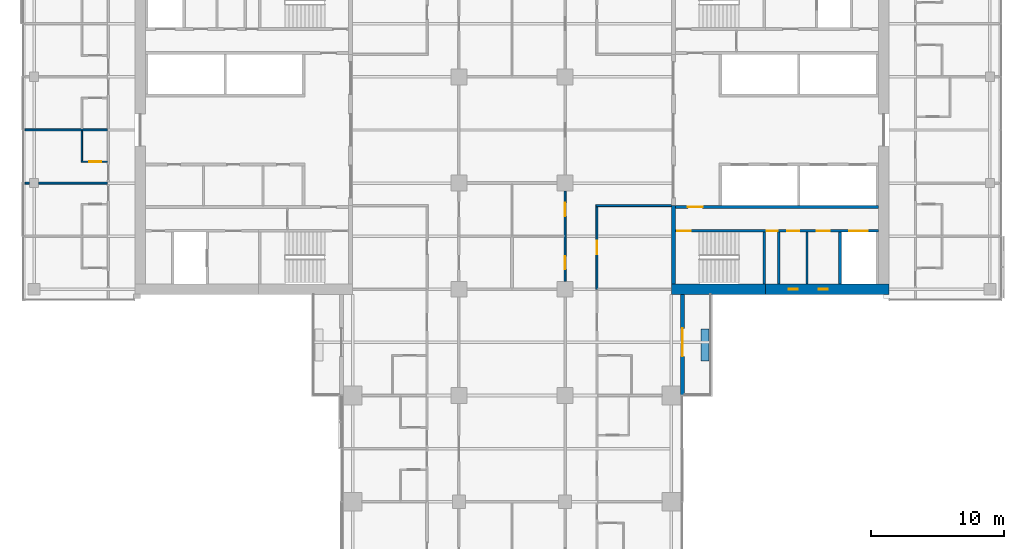
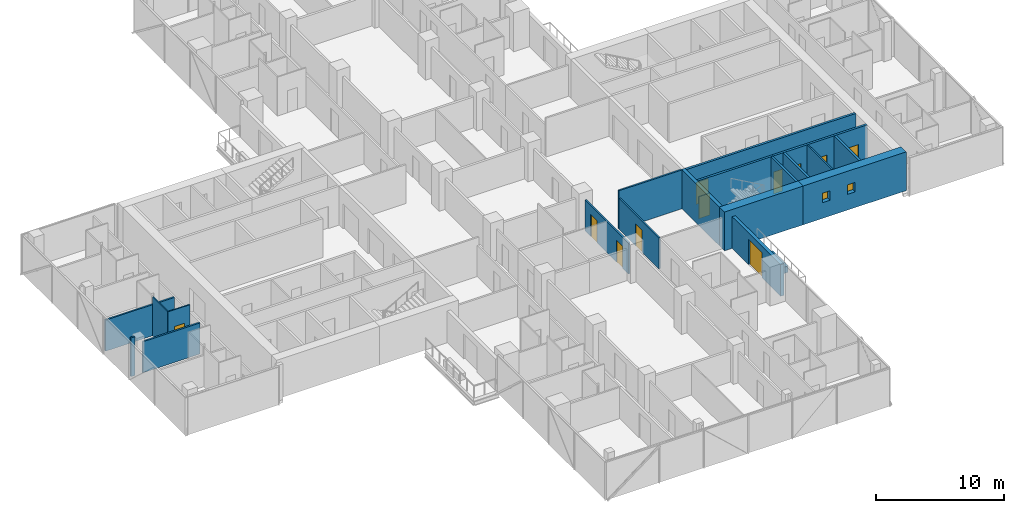
# One storey, part 17 of 27: 20 walls, 11 doors, 2 windows, 13 openings.
"""IFC4 building model written with IfcOpenShell, lengths in metres."""

from ifc_helpers import new_model, si_unit, direction, frame, frame_2d, origin, place, context, subcontext, project, spatial, rectangle, extrude, material, layer, layer_set, constituent, constituent_set, type_object, element, fill, save


model = new_model("IFC4")

# Units and contexts
model_context = context("Model", 3, precision=1e-05, world=origin(), true_north=direction((0.0, 1.0)))
body_context = subcontext(model_context, "Body", "Model", "MODEL_VIEW")
ifc_project = project(units=[si_unit("LENGTHUNIT", "METRE"), si_unit("AREAUNIT", "SQUARE_METRE"), si_unit("VOLUMEUNIT", "CUBIC_METRE"), si_unit("PLANEANGLEUNIT", "RADIAN"), si_unit("MASSUNIT", "GRAM", prefix="KILO")], contexts=[model_context])

# Site, building, storey
site_placement = place(None, origin())
site = spatial("IfcSite", under=ifc_project, at=site_placement, CompositionType="ELEMENT")
building_placement = place(site_placement, origin())
building = spatial("IfcBuilding", under=site, at=building_placement, Name="Crosswind Convention Tower", CompositionType="ELEMENT")
storey_placement = place(building_placement, frame((0.0, 0.0, 64.60009765625)))
storey = spatial("IfcBuildingStorey", under=building, at=storey_placement, Name="L10", CompositionType="ELEMENT", Elevation=64.60009765625)

# Walls
ifc_material_1 = material(Name="Concrete blockwork", Category="masonry")
ifc_layer_1 = layer(ifc_material_1, 0.199951171875)
ifc_layer_set_1 = layer_set([ifc_layer_1], Name="Blockwork partition wall 200")
wall_type_1 = type_object("IfcWallType", Name="Blockwork partition wall 200", PredefinedType="PARTITIONING", material=ifc_layer_set_1)
wall_1_placement = place(storey_placement, frame((145.10009765625, 88.39990234375, 0.0), z_axis=(0.0, 0.0, 1.0), x_axis=(0.0, 1.0, 0.0)))
element("IfcWall", 1, at=wall_1_placement, inside=storey, type_object=wall_type_1, Name="Wall MRSE E L10", PredefinedType="PARTITIONING", context=body_context, shape_type="SweptSolid", body=[
    extrude(rectangle(XDim=3.900146484375, YDim=0.199951171875, at=frame_2d((1.9501953125, 0.0))), origin(), (0.0, 0.0, 1.0), 3.699951171875),
])
ifc_material_2 = material(Name="Plasterboard partition", Category="gypsum")
ifc_layer_2 = layer(ifc_material_2, 0.14990234375)
ifc_layer_set_2 = layer_set([ifc_layer_2], Name="CORRIDOR WALL 150")
wall_type_2 = type_object("IfcWallType", Name="CORRIDOR WALL 150", PredefinedType="PARTITIONING", material=ifc_layer_set_2)
wall_2_placement = place(storey_placement, frame((131.324951171875, 94.300048828125, 0.0), z_axis=(0.0, 0.0, 1.0), x_axis=(1.0, 0.0, 0.0)))
element("IfcWall", 2, at=wall_2_placement, inside=storey, type_object=wall_type_2, Name="Corridor Wall 26", PredefinedType="PARTITIONING", context=body_context, shape_type="SweptSolid", body=[
    extrude(rectangle(XDim=5.675048828125, YDim=0.14990234375, at=frame_2d((2.83740234375, 0.0))), origin(), (0.0, 0.0, 1.0), 3.699951171875),
])

# Wall, openings, doors
wall_3_placement = place(storey_placement, frame((129.0, 88.60009765625, 0.0), z_axis=(0.0, 0.0, 1.0), x_axis=(0.0, 1.0, 0.0)))
wall_3 = element("IfcWall", 3, at=wall_3_placement, inside=storey, type_object=wall_type_2, Name="Corridor Wall 108", PredefinedType="PARTITIONING", context=body_context, shape_type="SweptSolid", body=[
    extrude(rectangle(XDim=6.7998046875, YDim=0.14990234375, at=frame_2d((3.39990234375, 0.0))), origin(), (0.0, 0.0, 1.0), 2.959716796875),
])
opening_1_placement = place(wall_3_placement, frame((0.89990234375, 0.0, 0.0)))
opening_1 = element("IfcOpeningElement", 4, at=opening_1_placement, cuts=wall_3, Name="Opening 10.062", PredefinedType="OPENING", context=body_context, shape_type="SweptSolid", body=[
    extrude(rectangle(XDim=1.0, YDim=2.10009765625, at=frame_2d((0.5, 1.050048828125))), frame((0.0, 0.0849609375, 0.0), z_axis=(0.0, -1.0, 0.0), x_axis=(1.0, 0.0, 0.0)), (0.0, 0.0, 1.0), 0.169921875),
])
opening_2_placement = place(wall_3_placement, frame((4.89990234375, 0.0, 0.0)))
opening_2 = element("IfcOpeningElement", 5, at=opening_2_placement, cuts=wall_3, Name="Opening 10.063", PredefinedType="OPENING", context=body_context, shape_type="SweptSolid", body=[
    extrude(rectangle(XDim=1.0, YDim=2.10009765625, at=frame_2d((0.5, 1.050048828125))), frame((0.0, 0.0849609375, 0.0), z_axis=(0.0, -1.0, 0.0), x_axis=(1.0, 0.0, 0.0)), (0.0, 0.0, 1.0), 0.169921875),
])
ifc_material_3 = material(Name="Timber fire door", Category="wood")
door_type_1 = type_object("IfcDoorType", Name="SERVICE ROOM DOOR 1000X2100", OperationType="NOTDEFINED", PredefinedType="DOOR", material=ifc_material_3)
door_1_placement = place(opening_1_placement, origin())
door_1 = element("IfcDoor", 6, at=door_1_placement, inside=storey, type_object=door_type_1, Name="Door 10.062", ObjectType="D3", OperationType="SINGLE_SWING_LEFT", OverallHeight=2.10009765625, OverallWidth=1.0, PredefinedType="DOOR", context=body_context, shape_type="SweptSolid", body=[
    extrude(rectangle(XDim=1.0, YDim=2.10009765625, at=frame_2d((0.5, 1.050048828125))), frame((0.0, 0.02490234375, 0.0), z_axis=(0.0, -1.0, 0.0), x_axis=(1.0, 0.0, 0.0)), (0.0, 0.0, 1.0), 0.050048828125),
])
fill(opening_1, door_1)
door_2_placement = place(opening_2_placement, origin())
door_2 = element("IfcDoor", 7, at=door_2_placement, inside=storey, type_object=door_type_1, Name="Door 10.063", ObjectType="D3", OperationType="SINGLE_SWING_RIGHT", OverallHeight=2.10009765625, OverallWidth=1.0, PredefinedType="DOOR", context=body_context, shape_type="SweptSolid", body=[
    extrude(rectangle(XDim=1.0, YDim=2.10009765625, at=frame_2d((0.5, 1.050048828125))), frame((0.0, 0.02490234375, 0.0), z_axis=(0.0, -1.0, 0.0), x_axis=(1.0, 0.0, 0.0)), (0.0, 0.0, 1.0), 0.050048828125),
])
fill(opening_2, door_2)

# Wall, opening, door
wall_4_placement = place(storey_placement, frame((131.39990234375, 88.0, 0.0), z_axis=(0.0, 0.0, 1.0), x_axis=(0.0, 1.0, 0.0)))
wall_4 = element("IfcWall", 8, at=wall_4_placement, inside=storey, type_object=wall_type_2, Name="Corridor Wall 116", PredefinedType="PARTITIONING", context=body_context, shape_type="SweptSolid", body=[
    extrude(rectangle(XDim=6.22509765625, YDim=0.14990234375, at=frame_2d((3.112548828125, 0.0))), origin(), (0.0, 0.0, 1.0), 2.956298828125),
])
opening_3_placement = place(wall_4_placement, frame((2.64990234375, 0.0, 0.0)))
opening_3 = element("IfcOpeningElement", 9, at=opening_3_placement, cuts=wall_4, Name="Opening 10.002", PredefinedType="OPENING", context=body_context, shape_type="SweptSolid", body=[
    extrude(rectangle(XDim=1.0, YDim=2.10009765625, at=frame_2d((0.5, 1.050048828125))), frame((0.0, 0.0849609375, 0.0), z_axis=(0.0, -1.0, 0.0), x_axis=(1.0, 0.0, 0.0)), (0.0, 0.0, 1.0), 0.169921875),
])
door_3_placement = place(opening_3_placement, frame((1.0, 0.0, 0.0), z_axis=(0.0, 0.0, 1.0), x_axis=(-1.0, 0.0, 0.0)))
door_3 = element("IfcDoor", 10, at=door_3_placement, inside=storey, type_object=door_type_1, Name="Door 10.002", ObjectType="D3", OperationType="SINGLE_SWING_LEFT", OverallHeight=2.10009765625, OverallWidth=1.0, PredefinedType="DOOR", context=body_context, shape_type="SweptSolid", body=[
    extrude(rectangle(XDim=1.0, YDim=2.10009765625, at=frame_2d((0.5, 1.050048828125))), frame((0.0, 0.02490234375, 0.0), z_axis=(0.0, -1.0, 0.0), x_axis=(1.0, 0.0, 0.0)), (0.0, 0.0, 1.0), 0.050048828125),
])
fill(opening_3, door_3)

# Wall
ifc_material_4 = material(Name="Concrete C50/60", Category="concrete")
ifc_layer_3 = layer(ifc_material_4, 0.300048828125)
ifc_layer_set_3 = layer_set([ifc_layer_3], Name="Concrete C50/60")
wall_type_3 = type_object("IfcWallType", Name="Concrete inner core wall 300", PredefinedType="SHEAR", material=ifc_layer_set_3)
wall_5_placement = place(storey_placement, frame((137.14990234375, 88.39990234375, 0.0), z_axis=(0.0, 0.0, 1.0), x_axis=(0.0, 1.0, 0.0)))
element("IfcWall", 11, at=wall_5_placement, inside=storey, type_object=wall_type_3, Name="Wall EM E L10", PredefinedType="SHEAR", context=body_context, shape_type="SweptSolid", body=[
    extrude(rectangle(XDim=5.900146484375, YDim=0.300048828125, at=frame_2d((2.9501953125, 0.0))), origin(), (0.0, 0.0, 1.0), 3.699951171875),
])

# Wall, opening, door
ifc_layer_4 = layer(ifc_material_4, 0.199951171875)
ifc_layer_set_4 = layer_set([ifc_layer_4], Name="Concrete C50/60")
wall_type_4 = type_object("IfcWallType", Name="Concrete shaft and stair wall 200", PredefinedType="SHEAR", material=ifc_layer_set_4)
wall_6_placement = place(storey_placement, frame((137.300048828125, 94.199951171875, 0.0), z_axis=(0.0, 0.0, 1.0), x_axis=(1.0, 0.0, 0.0)))
wall_6 = element("IfcWall", 12, at=wall_6_placement, inside=storey, type_object=wall_type_4, Name="Wall HM E L10", PredefinedType="SHEAR", context=body_context, shape_type="SweptSolid", body=[
    extrude(rectangle(XDim=15.300048828125, YDim=0.199951171875, at=frame_2d((7.64990234375, 0.0))), origin(), (0.0, 0.0, 1.0), 3.699951171875),
])
opening_4_placement = place(wall_6_placement, frame((0.949951171875, 0.0, 0.0)))
opening_4 = element("IfcOpeningElement", 13, at=opening_4_placement, cuts=wall_6, Name="Opening D104", PredefinedType="OPENING", context=body_context, shape_type="SweptSolid", body=[
    extrude(rectangle(XDim=1.10009765625, YDim=2.10009765625, at=frame_2d((0.550048828125, 1.050048828125))), frame((0.0, 0.10986328125, 0.0), z_axis=(0.0, -1.0, 0.0), x_axis=(1.0, 0.0, 0.0)), (0.0, 0.0, 1.0), 0.219970703125),
])
ifc_material_5 = material(Name="Steel fire door", Category="steel")
door_type_2 = type_object("IfcDoorType", Name="Fire-rated single door 1100x2100", OperationType="NOTDEFINED", PredefinedType="DOOR", material=ifc_material_5)
door_4_placement = place(opening_4_placement, origin())
door_4 = element("IfcDoor", 14, at=door_4_placement, inside=storey, type_object=door_type_2, Name="Corridor door L10", ObjectType="D104", OperationType="SINGLE_SWING_LEFT", OverallHeight=2.10009765625, OverallWidth=1.10009765625, PredefinedType="DOOR", context=body_context, shape_type="SweptSolid", body=[
    extrude(rectangle(XDim=1.10009765625, YDim=2.10009765625, at=frame_2d((0.550048828125, 1.050048828125))), frame((0.0, 0.02490234375, 0.0), z_axis=(0.0, -1.0, 0.0), x_axis=(1.0, 0.0, 0.0)), (0.0, 0.0, 1.0), 0.050048828125),
])
fill(opening_4, door_4)

# Walls
for number, where, z_axis, x_axis, name in (
    (15, (144.0, 88.39990234375, 0.0), (0.0, 0.0, 1.0), (0.0, 1.0, 0.0), "Wall MSE E L10"),
    (16, (149.699951171875, 88.39990234375, 0.0), (0.0, 0.0, 1.0), (0.0, 1.0, 0.0), "Wall MFSW E L10"),
):
    element("IfcWall", number, at=place(storey_placement, frame(where, z_axis=z_axis, x_axis=x_axis)), inside=storey, type_object=wall_type_4, Name=name, PredefinedType="SHEAR", context=body_context, shape_type="SweptSolid", body=[
        extrude(rectangle(XDim=3.900146484375, YDim=0.199951171875, at=frame_2d((1.9501953125, 0.0))), origin(), (0.0, 0.0, 1.0), 3.699951171875),
    ])

# Wall, opening, door
wall_7_placement = place(storey_placement, frame((137.300048828125, 92.39990234375, 0.0), z_axis=(0.0, 0.0, 1.0), x_axis=(1.0, 0.0, 0.0)))
wall_7 = element("IfcWall", 17, at=wall_7_placement, inside=storey, type_object=wall_type_4, Name="Wall MCW E L10", PredefinedType="SHEAR", context=body_context, shape_type="SweptSolid", body=[
    extrude(rectangle(XDim=6.800048828125, YDim=0.199951171875, at=frame_2d((3.39990234375, 0.0))), origin(), (0.0, 0.0, 1.0), 3.699951171875),
])
opening_5_placement = place(wall_7_placement, frame((0.14990234375, 0.0, 0.0)))
opening_5 = element("IfcOpeningElement", 18, at=opening_5_placement, cuts=wall_7, Name="Opening D103", PredefinedType="OPENING", context=body_context, shape_type="SweptSolid", body=[
    extrude(rectangle(XDim=1.0, YDim=2.10009765625, at=frame_2d((0.5, 1.050048828125))), frame((0.0, 0.10986328125, 0.0), z_axis=(0.0, -1.0, 0.0), x_axis=(1.0, 0.0, 0.0)), (0.0, 0.0, 1.0), 0.219970703125),
])
door_type_3 = type_object("IfcDoorType", Name="Fire-rated single door 1000x2100", OperationType="NOTDEFINED", PredefinedType="DOOR", material=ifc_material_5)
door_5_placement = place(opening_5_placement, frame((1.0, 0.0, 0.0), z_axis=(0.0, 0.0, 1.0), x_axis=(-1.0, 0.0, 0.0)))
door_5 = element("IfcDoor", 19, at=door_5_placement, inside=storey, type_object=door_type_3, Name="Stair ST2 door L10", ObjectType="D103", OperationType="SINGLE_SWING_RIGHT", OverallHeight=2.10009765625, OverallWidth=1.0, PredefinedType="DOOR", context=body_context, shape_type="SweptSolid", body=[
    extrude(rectangle(XDim=1.0, YDim=2.10009765625, at=frame_2d((0.5, 1.050048828125))), frame((0.0, 0.02490234375, 0.0), z_axis=(0.0, -1.0, 0.0), x_axis=(1.0, 0.0, 0.0)), (0.0, 0.0, 1.0), 0.050048828125),
])
fill(opening_5, door_5)

# Wall, openings, doors
wall_8_placement = place(storey_placement, frame((144.10009765625, 92.39990234375, 0.0), z_axis=(0.0, 0.0, 1.0), x_axis=(1.0, 0.0, 0.0)))
wall_8 = element("IfcWall", 20, at=wall_8_placement, inside=storey, type_object=wall_type_4, Name="Wall MCX E L10", PredefinedType="SHEAR", context=body_context, shape_type="SweptSolid", body=[
    extrude(rectangle(XDim=8.5, YDim=0.199951171875, at=frame_2d((4.25, 0.0))), origin(), (0.0, 0.0, 1.0), 3.699951171875),
])
opening_6_placement = place(wall_8_placement, frame((0.10009765625, 0.0, 0.0)))
opening_6 = element("IfcOpeningElement", 21, at=opening_6_placement, cuts=wall_8, Name="Opening D105", PredefinedType="OPENING", context=body_context, shape_type="SweptSolid", body=[
    extrude(rectangle(XDim=0.800048828125, YDim=2.10009765625, at=frame_2d((0.39990234375, 1.050048828125))), frame((0.0, 0.10986328125, 0.0), z_axis=(0.0, -1.0, 0.0), x_axis=(1.0, 0.0, 0.0)), (0.0, 0.0, 1.0), 0.219970703125),
])
opening_7_placement = place(wall_8_placement, frame((1.630859375, 0.0, 0.0)))
opening_7 = element("IfcOpeningElement", 22, at=opening_7_placement, cuts=wall_8, Name="Opening D106", PredefinedType="OPENING", context=body_context, shape_type="SweptSolid", body=[
    extrude(rectangle(XDim=0.89990234375, YDim=2.10009765625, at=frame_2d((0.449951171875, 1.050048828125))), frame((0.0, 0.10986328125, 0.0), z_axis=(0.0, -1.0, 0.0), x_axis=(1.0, 0.0, 0.0)), (0.0, 0.0, 1.0), 0.219970703125),
])
opening_8_placement = place(wall_8_placement, frame((3.84326171875, 0.0, 0.0)))
opening_8 = element("IfcOpeningElement", 23, at=opening_8_placement, cuts=wall_8, Name="Opening D103", PredefinedType="OPENING", context=body_context, shape_type="SweptSolid", body=[
    extrude(rectangle(XDim=1.0, YDim=2.10009765625, at=frame_2d((0.5, 1.050048828125))), frame((0.0, 0.10986328125, 0.0), z_axis=(0.0, -1.0, 0.0), x_axis=(1.0, 0.0, 0.0)), (0.0, 0.0, 1.0), 0.219970703125),
])
opening_9_placement = place(wall_8_placement, frame((6.300048828125, 0.0, 0.0)))
opening_9 = element("IfcOpeningElement", 24, at=opening_9_placement, cuts=wall_8, Name="Opening LD2", PredefinedType="OPENING", context=body_context, shape_type="SweptSolid", body=[
    extrude(rectangle(XDim=1.39990234375, YDim=2.10009765625, at=frame_2d((0.699951171875, 1.050048828125))), frame((0.0, 0.10986328125, 0.0), z_axis=(0.0, -1.0, 0.0), x_axis=(1.0, 0.0, 0.0)), (0.0, 0.0, 1.0), 0.219970703125),
])
door_6_placement = place(opening_8_placement, frame((1.0, 0.0, 0.0), z_axis=(0.0, 0.0, 1.0), x_axis=(-1.0, 0.0, 0.0)))
door_6 = element("IfcDoor", 25, at=door_6_placement, inside=storey, type_object=door_type_3, Name="Door to accessible wc L10", ObjectType="D103", OperationType="SINGLE_SWING_LEFT", OverallHeight=2.10009765625, OverallWidth=1.0, PredefinedType="DOOR", context=body_context, shape_type="SweptSolid", body=[
    extrude(rectangle(XDim=1.0, YDim=2.10009765625, at=frame_2d((0.5, 1.050048828125))), frame((0.0, 0.02490234375, 0.0), z_axis=(0.0, -1.0, 0.0), x_axis=(1.0, 0.0, 0.0)), (0.0, 0.0, 1.0), 0.050048828125),
])
fill(opening_8, door_6)
ifc_material_6 = material(Name="Stainless steel", Category="steel")
door_type_4 = type_object("IfcDoorType", Name="Lift landing door 1400x2100", OperationType="DOUBLE_DOOR_SLIDING", PredefinedType="DOOR", material=ifc_material_6)
door_7_placement = place(opening_9_placement, origin())
door_7 = element("IfcDoor", 26, at=door_7_placement, inside=storey, type_object=door_type_4, Name="Landing door SV1 L10", ObjectType="LD2", OperationType="DOUBLE_DOOR_SLIDING", OverallHeight=2.10009765625, OverallWidth=1.39990234375, PredefinedType="DOOR", context=body_context, shape_type="SweptSolid", body=[
    extrude(rectangle(XDim=1.39990234375, YDim=2.10009765625, at=frame_2d((0.699951171875, 1.050048828125))), frame((0.0, 0.02490234375, 0.0), z_axis=(0.0, -1.0, 0.0), x_axis=(1.0, 0.0, 0.0)), (0.0, 0.0, 1.0), 0.050048828125),
])
fill(opening_9, door_7)
door_type_5 = type_object("IfcDoorType", Name="Riser access door 800x2100", OperationType="NOTDEFINED", PredefinedType="DOOR", material=ifc_material_5)
door_8_placement = place(opening_6_placement, frame((0.800048828125, 0.0, 0.0), z_axis=(0.0, 0.0, 1.0), x_axis=(-1.0, 0.0, 0.0)))
door_8 = element("IfcDoor", 27, at=door_8_placement, inside=storey, type_object=door_type_5, Name="Riser door L10", ObjectType="D105", OperationType="SINGLE_SWING_LEFT", OverallHeight=2.10009765625, OverallWidth=0.800048828125, PredefinedType="DOOR", context=body_context, shape_type="SweptSolid", body=[
    extrude(rectangle(XDim=0.800048828125, YDim=2.10009765625, at=frame_2d((0.39990234375, 1.050048828125))), frame((0.0, 0.02490234375, 0.0), z_axis=(0.0, -1.0, 0.0), x_axis=(1.0, 0.0, 0.0)), (0.0, 0.0, 1.0), 0.050048828125),
])
fill(opening_6, door_8)
ifc_material_7 = material(Name="Timber door", Category="wood")
door_type_6 = type_object("IfcDoorType", Name="Single leaf door 900x2100", OperationType="NOTDEFINED", PredefinedType="DOOR", material=ifc_material_7)
door_9_placement = place(opening_7_placement, frame((0.89990234375, 0.0, 0.0), z_axis=(0.0, 0.0, 1.0), x_axis=(-1.0, 0.0, 0.0)))
door_9 = element("IfcDoor", 28, at=door_9_placement, inside=storey, type_object=door_type_6, Name="Door to wc L10", ObjectType="D106", OperationType="SINGLE_SWING_LEFT", OverallHeight=2.10009765625, OverallWidth=0.89990234375, PredefinedType="DOOR", context=body_context, shape_type="SweptSolid", body=[
    extrude(rectangle(XDim=0.89990234375, YDim=2.10009765625, at=frame_2d((0.449951171875, 1.050048828125))), frame((0.0, 0.02490234375, 0.0), z_axis=(0.0, -1.0, 0.0), x_axis=(1.0, 0.0, 0.0)), (0.0, 0.0, 1.0), 0.050048828125),
])
fill(opening_7, door_9)

# Walls
ifc_material_8 = material(Name="Gypsum plasterboard partition", Category="gypsum")
ifc_layer_5 = layer(ifc_material_8, 0.125)
ifc_layer_set_5 = layer_set([ifc_layer_5], Name="Drywall partition wall 125")
wall_type_5 = type_object("IfcWallType", Name="Drywall partition wall 125", PredefinedType="PARTITIONING", material=ifc_layer_set_5)
wall_9_placement = place(storey_placement, frame((147.22412109375, 88.39990234375, 0.0), z_axis=(0.0, 0.0, 1.0), x_axis=(0.0, 1.0, 0.0)))
element("IfcWall", 29, at=wall_9_placement, inside=storey, type_object=wall_type_5, Name="Wall MWP1 E L10", PredefinedType="PARTITIONING", context=body_context, shape_type="SweptSolid", body=[
    extrude(rectangle(XDim=3.900146484375, YDim=0.125, at=frame_2d((1.9501953125, 0.0))), origin(), (0.0, 0.0, 1.0), 3.699951171875),
])
ifc_material_9 = material(Name="Acoustic plasterboard partition", Category="gypsum")
ifc_layer_6 = layer(ifc_material_9, 0.14990234375)
ifc_layer_set_6 = layer_set([ifc_layer_6], Name="GUEST ROOM WALL 150")
wall_type_6 = type_object("IfcWallType", Name="GUEST ROOM WALL 150", PredefinedType="PARTITIONING", material=ifc_layer_set_6)
wall_10_placement = place(storey_placement, frame((88.300048828125, 96.0, 0.0), z_axis=(0.0, 0.0, 1.0), x_axis=(1.0, 0.0, 0.0)))
element("IfcWall", 30, at=wall_10_placement, inside=storey, type_object=wall_type_6, Name="Guest Room Wall 29", PredefinedType="PARTITIONING", context=body_context, shape_type="SweptSolid", body=[
    extrude(rectangle(XDim=0.349853515625, YDim=0.14990234375, at=frame_2d((0.1748046875, 0.0))), origin(), (0.0, 0.0, 1.0), 3.699951171875),
])
wall_11_placement = place(storey_placement, frame((89.35009765625, 96.0, 0.0), z_axis=(0.0, 0.0, 1.0), x_axis=(1.0, 0.0, 0.0)))
element("IfcWall", 31, at=wall_11_placement, inside=storey, type_object=wall_type_6, Name="Guest Room Wall 30", PredefinedType="PARTITIONING", context=body_context, shape_type="SweptSolid", body=[
    extrude(rectangle(XDim=5.1748046875, YDim=0.14990234375, at=frame_2d((2.58740234375, 0.0))), origin(), (0.0, 0.0, 1.0), 2.956298828125),
])
wall_12_placement = place(storey_placement, frame((88.300048828125, 100.0, 0.0), z_axis=(0.0, 0.0, 1.0), x_axis=(1.0, 0.0, 0.0)))
element("IfcWall", 32, at=wall_12_placement, inside=storey, type_object=wall_type_6, Name="Guest Room Wall 35", PredefinedType="PARTITIONING", context=body_context, shape_type="SweptSolid", body=[
    extrude(rectangle(XDim=6.224853515625, YDim=0.14990234375, at=frame_2d((3.1123046875, 0.0))), origin(), (0.0, 0.0, 1.0), 2.962646484375),
])
ifc_material_10 = material(Name="Concrete C30/37", Category="concrete")
ifc_layer_7 = layer(ifc_material_10, 0.60009765625)
ifc_layer_set_7 = layer_set([ifc_layer_7], Name="Concrete C30/37")
wall_type_7 = type_object("IfcWallType", Name="PLANTER BOX WALL 600", PredefinedType="SOLIDWALL", material=ifc_layer_set_7)
wall_13_placement = place(storey_placement, frame((139.550048828125, 82.60009765625, 0.0), z_axis=(0.0, 0.0, 1.0), x_axis=(0.0, 1.0, 0.0)))
element("IfcWall", 33, at=wall_13_placement, inside=storey, type_object=wall_type_7, Name="PLANTER L10 S-E.1-3", PredefinedType="SOLIDWALL", context=body_context, shape_type="SweptSolid", body=[
    extrude(rectangle(XDim=2.39990234375, YDim=0.60009765625, at=frame_2d((1.199951171875, 0.0))), origin(), (0.0, 0.0, 1.0), 0.599853515625),
])

# Wall, opening, door
ifc_material_11 = material(Name="Terracotta rainscreen", Category="ceramic")
ifc_layer_8 = layer(ifc_material_11, 0.02001953125)
ifc_material_12 = material(Name="Mineral wool insulation", Category="insulation")
ifc_layer_9 = layer(ifc_material_12, 0.10009765625)
ifc_layer_10 = layer(ifc_material_1, 0.179931640625)
ifc_layer_set_8 = layer_set([ifc_layer_8, ifc_layer_9, ifc_layer_10], Name="TERRACOTTA INFILL WALL 300")
wall_type_8 = type_object("IfcWallType", Name="TERRACOTTA INFILL WALL 300", PredefinedType="SOLIDWALL", material=ifc_layer_set_8)
wall_14_placement = place(storey_placement, frame((137.85009765625, 80.032470703125, 0.0), z_axis=(0.0, 0.0, 1.0), x_axis=(0.0, 1.0, 0.0)))
wall_14 = element("IfcWall", 34, at=wall_14_placement, inside=storey, type_object=wall_type_8, Name="Notch front wall L10 S-E.1-3", PredefinedType="SOLIDWALL", context=body_context, shape_type="SweptSolid", body=[
    extrude(rectangle(XDim=7.567626953125, YDim=0.300048828125, at=frame_2d((3.78369140625, 0.0))), origin(), (0.0, 0.0, 1.0), 3.013427734375),
])
opening_10_placement = place(wall_14_placement, frame((2.91748046875, 0.0, 0.0)))
opening_10 = element("IfcOpeningElement", 35, at=opening_10_placement, cuts=wall_14, Name="Opening D141", PredefinedType="OPENING", context=body_context, shape_type="SweptSolid", body=[
    extrude(rectangle(XDim=2.10009765625, YDim=2.39990234375, at=frame_2d((1.050048828125, 1.199951171875))), frame((0.0, 0.159912109375, 0.0), z_axis=(0.0, -1.0, 0.0), x_axis=(1.0, 0.0, 0.0)), (0.0, 0.0, 1.0), 0.320068359375),
])
ifc_material_13 = material(Name="Aluminium glazed door", Category="aluminium")
door_type_7 = type_object("IfcDoorType", Name="BALCONY SLIDING DOOR 2100X2400", OperationType="SLIDING_TO_LEFT", PredefinedType="DOOR", material=ifc_material_13)
door_10_placement = place(opening_10_placement, frame((2.10009765625, 0.0, 0.0), z_axis=(0.0, 0.0, 1.0), x_axis=(-1.0, 0.0, 0.0)))
door_10 = element("IfcDoor", 36, at=door_10_placement, inside=storey, type_object=door_type_7, Name="D141 balcony door L10 S-E.1-3", ObjectType="D141", OperationType="SLIDING_TO_LEFT", OverallHeight=2.39990234375, OverallWidth=2.10009765625, PredefinedType="DOOR", context=body_context, shape_type="SweptSolid", body=[
    extrude(rectangle(XDim=2.10009765625, YDim=2.39990234375, at=frame_2d((1.050048828125, 1.199951171875))), frame((0.0, 0.02490234375, 0.0), z_axis=(0.0, -1.0, 0.0), x_axis=(1.0, 0.0, 0.0)), (0.0, 0.0, 1.0), 0.050048828125),
])
fill(opening_10, door_10)

# Wall
ifc_material_14 = material(Name="Concrete C60/75", Category="concrete")
ifc_constituent_1 = constituent(ifc_material_14, Name="Structure")
ifc_constituent_2 = constituent(ifc_material_11, Name="Facing")
ifc_constituent_set = constituent_set(constituents=[ifc_constituent_1, ifc_constituent_2], Name="Concrete C60/75, Terracotta rainscreen")
wall_type_9 = type_object("IfcWallType", Name="Terracotta rainscreen on concrete core wall 800", PredefinedType="SHEAR", material=ifc_constituent_set)
wall_15_placement = place(storey_placement, frame((137.0, 88.0, 0.0), z_axis=(0.0, 0.0, 1.0), x_axis=(1.0, 0.0, 0.0)))
element("IfcWall", 37, at=wall_15_placement, inside=storey, type_object=wall_type_9, Name="Wall S1 E L10", PredefinedType="SHEAR", context=body_context, shape_type="SweptSolid", body=[
    extrude(rectangle(XDim=7.10009765625, YDim=0.800048828125, at=frame_2d((3.550048828125, 0.0))), origin(), (0.0, 0.0, 1.0), 3.699951171875),
])

# Wall, openings, windows
wall_16_placement = place(storey_placement, frame((144.10009765625, 88.0, 0.0), z_axis=(0.0, 0.0, 1.0), x_axis=(1.0, 0.0, 0.0)))
wall_16 = element("IfcWall", 38, at=wall_16_placement, inside=storey, type_object=wall_type_9, Name="Wall S2 E L10", PredefinedType="SHEAR", context=body_context, shape_type="SweptSolid", body=[
    extrude(rectangle(XDim=9.2998046875, YDim=0.800048828125, at=frame_2d((4.64990234375, 0.0))), origin(), (0.0, 0.0, 1.0), 3.699951171875),
])
opening_11_placement = place(wall_16_placement, frame((1.730712890625, 0.0, 1.5)))
opening_11 = element("IfcOpeningElement", 39, at=opening_11_placement, cuts=wall_16, Name="Opening W2", PredefinedType="OPENING", context=body_context, shape_type="SweptSolid", body=[
    extrude(rectangle(XDim=0.699951171875, YDim=0.89990234375, at=frame_2d((0.35009765625, 0.449951171875))), frame((0.0, 0.409912109375, 0.0), z_axis=(0.0, -1.0, 0.0), x_axis=(1.0, 0.0, 0.0)), (0.0, 0.0, 1.0), 0.820068359375),
])
opening_12_placement = place(wall_16_placement, frame((3.9931640625, 0.0, 1.5)))
opening_12 = element("IfcOpeningElement", 40, at=opening_12_placement, cuts=wall_16, Name="Opening W2", PredefinedType="OPENING", context=body_context, shape_type="SweptSolid", body=[
    extrude(rectangle(XDim=0.699951171875, YDim=0.89990234375, at=frame_2d((0.35009765625, 0.449951171875))), frame((0.0, 0.409912109375, 0.0), z_axis=(0.0, -1.0, 0.0), x_axis=(1.0, 0.0, 0.0)), (0.0, 0.0, 1.0), 0.820068359375),
])
ifc_material_15 = material(Name="Obscure glass in aluminium frame", Category="aluminium")
window_type = type_object("IfcWindowType", Name="WC window 700x900", PartitioningType="SINGLE_PANEL", PredefinedType="WINDOW", material=ifc_material_15)
window_1_placement = place(opening_11_placement, origin())
window_1 = element("IfcWindow", 41, at=window_1_placement, inside=storey, type_object=window_type, Name="WC window L10", ObjectType="W2", OverallHeight=0.89990234375, OverallWidth=0.699951171875, PartitioningType="SINGLE_PANEL", PredefinedType="WINDOW", context=body_context, shape_type="SweptSolid", body=[
    extrude(rectangle(XDim=0.699951171875, YDim=0.89990234375, at=frame_2d((0.35009765625, 0.449951171875))), frame((0.0, 0.030029296875, 0.0), z_axis=(0.0, -1.0, 0.0), x_axis=(1.0, 0.0, 0.0)), (0.0, 0.0, 1.0), 0.06005859375),
])
fill(opening_11, window_1)
window_2_placement = place(opening_12_placement, origin())
window_2 = element("IfcWindow", 42, at=window_2_placement, inside=storey, type_object=window_type, Name="WC window L10", ObjectType="W2", OverallHeight=0.89990234375, OverallWidth=0.699951171875, PartitioningType="SINGLE_PANEL", PredefinedType="WINDOW", context=body_context, shape_type="SweptSolid", body=[
    extrude(rectangle(XDim=0.699951171875, YDim=0.89990234375, at=frame_2d((0.35009765625, 0.449951171875))), frame((0.0, 0.030029296875, 0.0), z_axis=(0.0, -1.0, 0.0), x_axis=(1.0, 0.0, 0.0)), (0.0, 0.0, 1.0), 0.06005859375),
])
fill(opening_12, window_2)

# Wall, opening, door
ifc_material_16 = material(Name="Water-resistant plasterboard partition", Category="gypsum")
ifc_layer_11 = layer(ifc_material_16, 0.10009765625)
ifc_layer_set_9 = layer_set([ifc_layer_11], Name="WET ROOM PARTITION 100")
wall_type_10 = type_object("IfcWallType", Name="WET ROOM PARTITION 100", PredefinedType="PLUMBINGWALL", material=ifc_layer_set_9)
wall_17_placement = place(storey_placement, frame((92.550048828125, 97.60009765625, 0.0), z_axis=(0.0, 0.0, 1.0), x_axis=(1.0, 0.0, 0.0)))
wall_17 = element("IfcWall", 43, at=wall_17_placement, inside=storey, type_object=wall_type_10, Name="Wet Room Partition 34", PredefinedType="PLUMBINGWALL", context=body_context, shape_type="SweptSolid", body=[
    extrude(rectangle(XDim=1.974853515625, YDim=0.10009765625, at=frame_2d((0.9873046875, 0.0))), origin(), (0.0, 0.0, 1.0), 3.699951171875),
])
opening_13_placement = place(wall_17_placement, frame((0.60009765625, 0.0, 0.0)))
opening_13 = element("IfcOpeningElement", 44, at=opening_13_placement, cuts=wall_17, Name="Opening 10.050", PredefinedType="OPENING", context=body_context, shape_type="SweptSolid", body=[
    extrude(rectangle(XDim=0.89990234375, YDim=2.10009765625, at=frame_2d((0.449951171875, 1.050048828125))), frame((0.0, 0.06005859375, 0.0), z_axis=(0.0, -1.0, 0.0), x_axis=(1.0, 0.0, 0.0)), (0.0, 0.0, 1.0), 0.1201171875),
])
door_type_8 = type_object("IfcDoorType", Name="EN-SUITE DOOR 900X2100", OperationType="NOTDEFINED", PredefinedType="DOOR", material=ifc_material_7)
door_11_placement = place(opening_13_placement, origin())
door_11 = element("IfcDoor", 45, at=door_11_placement, inside=storey, type_object=door_type_8, Name="Door 10.050", ObjectType="D2", OperationType="SINGLE_SWING_RIGHT", OverallHeight=2.10009765625, OverallWidth=0.89990234375, PredefinedType="DOOR", context=body_context, shape_type="SweptSolid", body=[
    extrude(rectangle(XDim=0.89990234375, YDim=2.10009765625, at=frame_2d((0.449951171875, 1.050048828125))), frame((0.0, 0.02490234375, 0.0), z_axis=(0.0, -1.0, 0.0), x_axis=(1.0, 0.0, 0.0)), (0.0, 0.0, 1.0), 0.050048828125),
])
fill(opening_13, door_11)

# Wall
wall_18_placement = place(storey_placement, frame((92.60009765625, 97.64990234375, 0.0), z_axis=(0.0, 0.0, 1.0), x_axis=(0.0, 1.0, 0.0)))
element("IfcWall", 46, at=wall_18_placement, inside=storey, type_object=wall_type_10, Name="Wet Room Partition 70", PredefinedType="PLUMBINGWALL", context=body_context, shape_type="SweptSolid", body=[
    extrude(rectangle(XDim=2.275146484375, YDim=0.10009765625, at=frame_2d((1.1376953125, 0.0))), origin(), (0.0, 0.0, 1.0), 3.699951171875),
])

save(model, "model.ifc")
